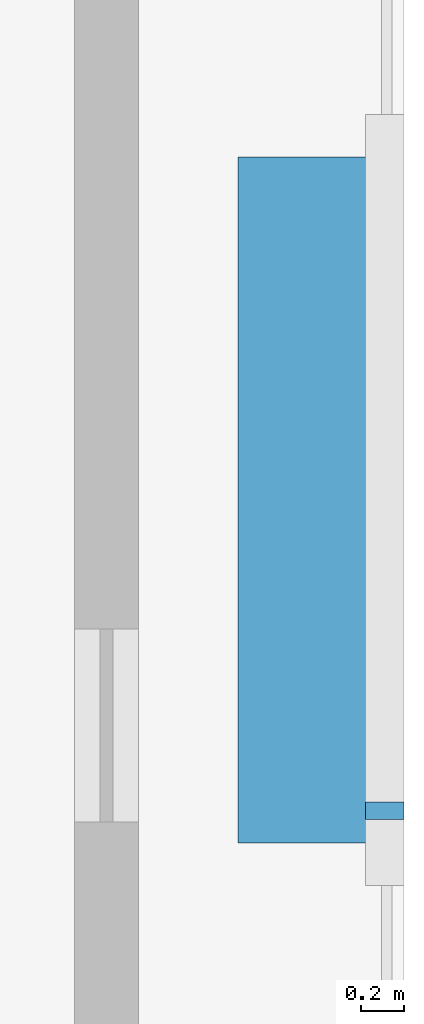
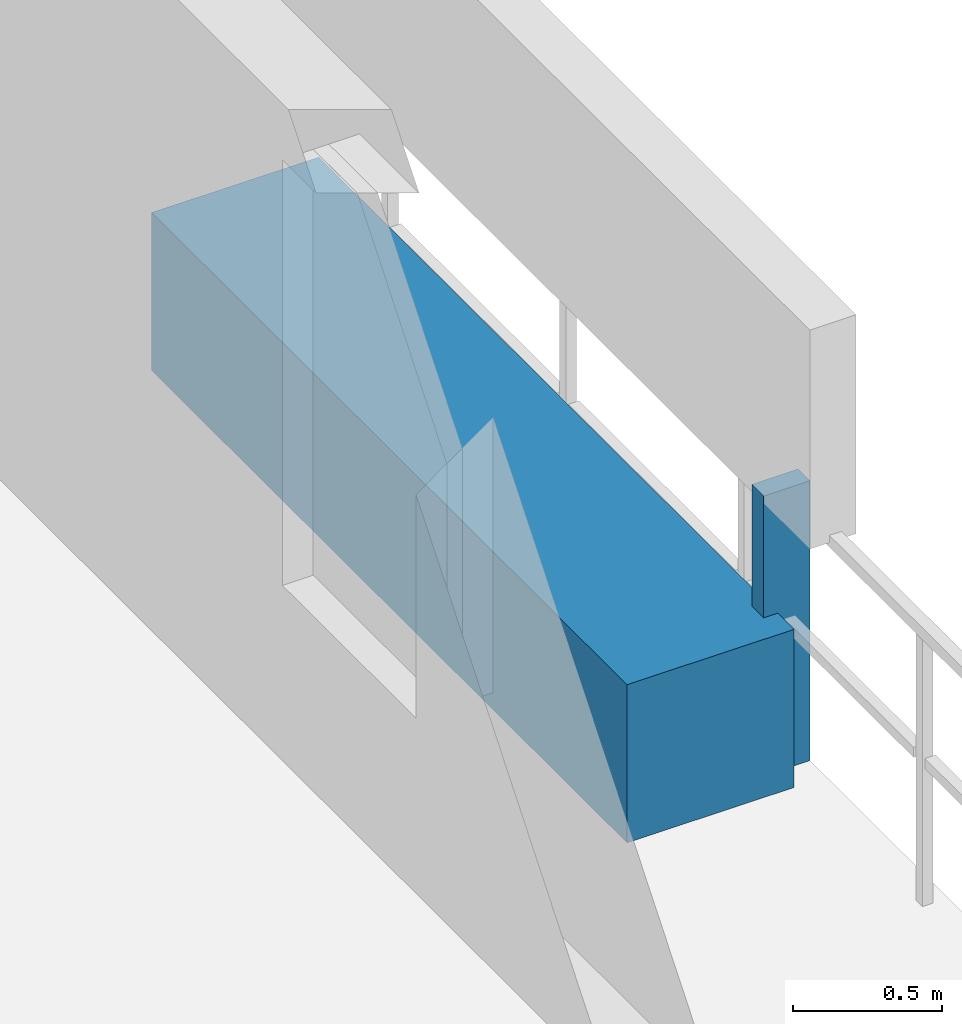
# One storey, part 30 of 34: 2 discrete accessories.
"""IFC4 building model written with IfcOpenShell, lengths in metres."""

from ifc_helpers import new_model, si_unit, direction, frame, origin, origin_2d, place, context, subcontext, project, spatial, rectangle, extrude, material, type_object, element, save


model = new_model("IFC4")

# Units and contexts
model_context = context("Model", 3, precision=1e-05, world=origin(), true_north=direction((0.0, 1.0)))
body_context = subcontext(model_context, "Body", "Model", "MODEL_VIEW")
ifc_project = project(units=[si_unit("LENGTHUNIT", "METRE"), si_unit("AREAUNIT", "SQUARE_METRE"), si_unit("VOLUMEUNIT", "CUBIC_METRE"), si_unit("PLANEANGLEUNIT", "RADIAN"), si_unit("MASSUNIT", "GRAM", prefix="KILO")], contexts=[model_context])

# Site, building, storey
site_placement = place(None, origin())
site = spatial("IfcSite", under=ifc_project, at=site_placement, CompositionType="ELEMENT")
building_placement = place(site_placement, origin())
building = spatial("IfcBuilding", under=site, at=building_placement, Name="Thornwick Lancets Civic Towers", CompositionType="ELEMENT")
storey_placement = place(building_placement, frame((0.0, 0.0, 258.300048828125)))
storey = spatial("IfcBuildingStorey", under=building, at=storey_placement, Name="L69", CompositionType="ELEMENT", Elevation=258.300048828125)

# Discrete accessories
ifc_material_1 = material(Name="Planted terracotta greenery planter", Category="masonry")
discrete_accessory_type_1 = type_object("IfcDiscreteAccessoryType", Name="ACC_PLANTER_BOX", PredefinedType="USERDEFINED", material=ifc_material_1)
discrete_accessory_1_placement = place(storey_placement, frame((113.199951171875, 27.0, 0.0), z_axis=(0.0, 0.0, 1.0), x_axis=(1.0, 0.0, 0.0)))
element("IfcDiscreteAccessory", 1, at=discrete_accessory_1_placement, inside=storey, type_object=discrete_accessory_type_1, Name="L69 Tower B Balcony Greenery Planter E", ObjectType="PLANTER", PredefinedType="USERDEFINED", context=body_context, shape_type="SweptSolid", body=[
    extrude(rectangle(XDim=0.64990234375, YDim=3.199951171875, at=origin_2d()), origin(), (0.0, 0.0, 1.0), 0.64990234375),
])
ifc_material_2 = material(Name="Stainless steel S355", Category="steel")
discrete_accessory_type_2 = type_object("IfcDiscreteAccessoryType", Name="ACC_SCREEN_BRACKET", PredefinedType="BRACKET", material=ifc_material_2)
discrete_accessory_2_placement = place(storey_placement, frame((113.56005859375, 25.550048828125, 0.0), z_axis=(0.0, 0.0, 1.0), x_axis=(0.0, 1.0, 0.0)))
element("IfcDiscreteAccessory", 2, at=discrete_accessory_2_placement, inside=storey, type_object=discrete_accessory_type_2, Name="L69 Tower B Balcony Screen Stanchion Bracket E-1", PredefinedType="BRACKET", context=body_context, shape_type="SweptSolid", body=[
    extrude(rectangle(XDim=0.080078125, YDim=0.179931640625, at=origin_2d()), origin(), (0.0, 0.0, 1.0), 1.14990234375),
])

save(model, "model.ifc")
